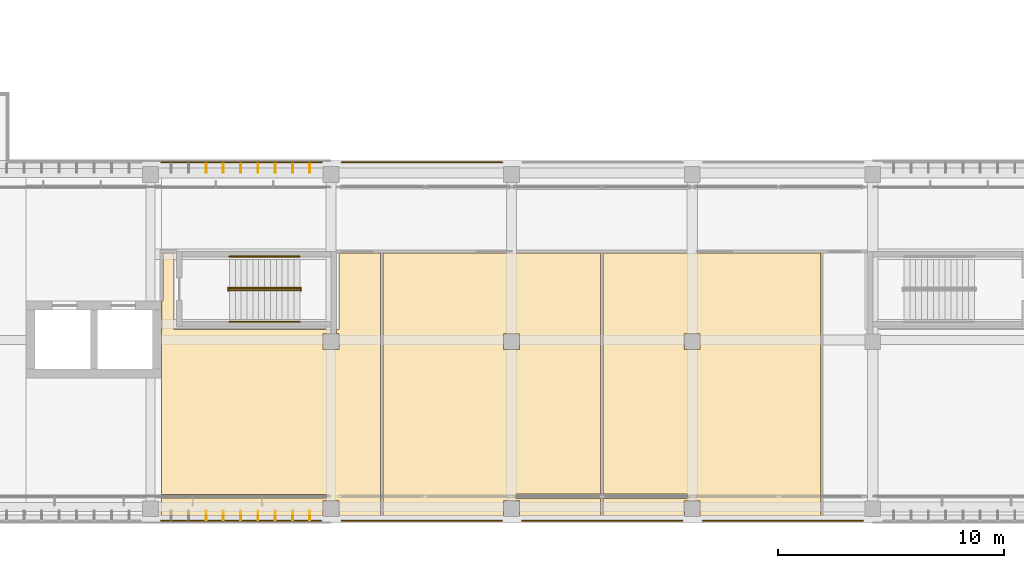
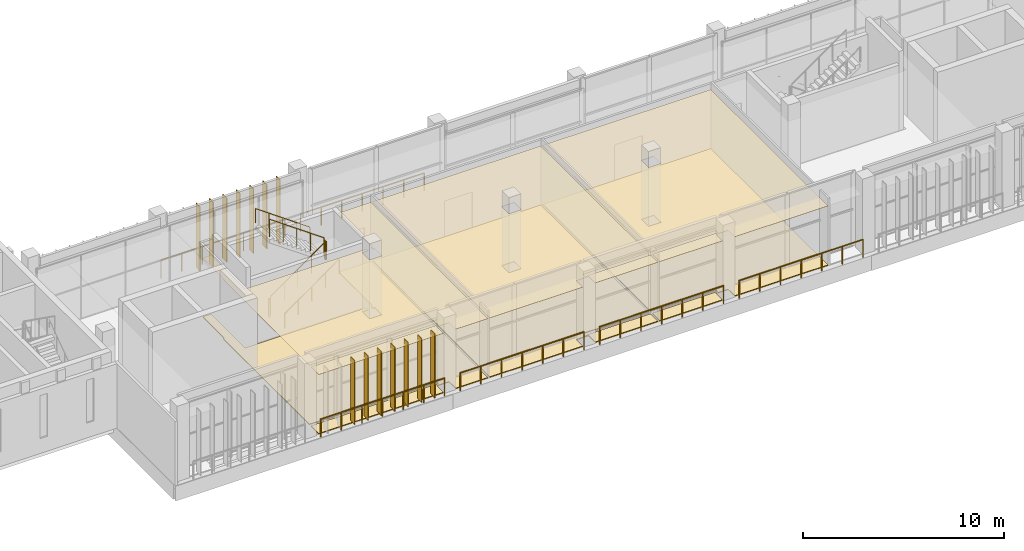
# One storey, part 33 of 46: 14 shading devices, 12 railings, 6 coverings.
"""IFC4 building model written with IfcOpenShell, lengths in metres."""

from ifc_helpers import new_model, si_unit, direction, frame, origin, origin_2d, place, context, subcontext, project, spatial, polyline, rectangle, circle, outline, extrude, material, layer, layer_set, type_object, element, save


model = new_model("IFC4")

# Units and contexts
model_context = context("Model", 3, precision=1e-05, world=origin(), true_north=direction((0.0, 1.0)))
body_context = subcontext(model_context, "Body", "Model", "MODEL_VIEW")
ifc_project = project(units=[si_unit("LENGTHUNIT", "METRE"), si_unit("AREAUNIT", "SQUARE_METRE"), si_unit("VOLUMEUNIT", "CUBIC_METRE"), si_unit("PLANEANGLEUNIT", "RADIAN"), si_unit("MASSUNIT", "GRAM", prefix="KILO")], contexts=[model_context])

# Site, building, storey
site_placement = place(None, origin())
site = spatial("IfcSite", under=ifc_project, at=site_placement, CompositionType="ELEMENT")
building_placement = place(site_placement, origin())
building = spatial("IfcBuilding", under=site, at=building_placement, Name="Lantern Court Media Centre", CompositionType="ELEMENT")
storey_placement = place(building_placement, frame((0.0, 0.0, 28.800048828125)))
storey = spatial("IfcBuildingStorey", under=building, at=storey_placement, Name="L06", CompositionType="ELEMENT", Elevation=28.800048828125)

# Coverings
ifc_material_1 = material(Name="Carpet")
ifc_layer_1 = layer(ifc_material_1, 0.050048828125)
ifc_layer_set_1 = layer_set([ifc_layer_1], Name="Carpet")
covering_type_1 = type_object("IfcCoveringType", Name="Carpet floor finish", PredefinedType="FLOORING", material=ifc_layer_set_1)
covering_1_placement = place(storey_placement, origin())
element("IfcCovering", 1, at=covering_1_placement, inside=storey, type_object=covering_type_1, Name="Restaurant floor finish", PredefinedType="FLOORING", context=body_context, shape_type="SweptSolid", body=[
    extrude(outline(polyline([(40.35009765625, 50.550048828125), (40.35009765625, 53.9326171875), (42.195068359375, 53.9326171875), (42.195068359375, 42.300048828125), (40.35498046875, 42.300048828125), (40.35009765625, 42.955078125), (39.646484375, 42.95361328125), (39.64501953125, 42.300048828125), (32.5, 42.300048828125), (32.5, 43.070068359375), (39.804931640625, 43.074951171875), (39.800048828125, 43.22998046875), (32.5, 43.22998046875), (32.5048828125, 51.794921875), (32.5673828125, 51.800048828125), (32.5673828125, 53.9326171875), (33.050048828125, 53.9326171875), (33.050048828125, 50.550048828125), (39.9951171875, 50.550048828125), (39.9951171875, 50.35498046875), (39.645263671875, 50.351806640625), (39.645263671875, 49.648193359375), (40.35009765625, 49.64501953125), (40.35498046875, 50.3505859375), (40.2548828125, 50.35498046875), (40.2548828125, 50.550048828125), (40.35009765625, 50.550048828125)])), origin(), (0.0, 0.0, 1.0), 0.050048828125),
])
covering_2_placement = place(storey_placement, origin())
element("IfcCovering", 2, at=covering_2_placement, inside=storey, type_object=covering_type_1, Name="Community Hall floor finish", PredefinedType="FLOORING", context=body_context, shape_type="SweptSolid", body=[
    extrude(outline(polyline([(42.304931640625, 42.300048828125), (42.304931640625, 53.9326171875), (51.945068359375, 53.9326171875), (51.945068359375, 43.2548828125), (48.195068359375, 43.25), (48.199462890625, 43.044921875), (51.945068359375, 43.044921875), (51.945068359375, 42.300048828125), (48.35498046875, 42.300048828125), (48.35009765625, 42.955078125), (47.646484375, 42.95361328125), (47.64501953125, 42.300048828125), (42.304931640625, 42.300048828125)]), holes=[polyline([(48.35498046875, 50.35009765625), (47.646484375, 50.353515625), (47.646484375, 49.646484375), (48.353515625, 49.646484375), (48.35498046875, 50.35009765625)])]), origin(), (0.0, 0.0, 1.0), 0.050048828125),
])
covering_3_placement = place(storey_placement, origin())
element("IfcCovering", 3, at=covering_3_placement, inside=storey, type_object=covering_type_1, Name="Library Administration Office floor finish", PredefinedType="FLOORING", context=body_context, shape_type="SweptSolid", body=[
    extrude(outline(polyline([(52.054931640625, 42.300048828125), (52.054931640625, 43.044921875), (55.804931640625, 43.050048828125), (55.800537109375, 43.2548828125), (52.054931640625, 43.2548828125), (52.054931640625, 53.9326171875), (61.695068359375, 53.9326171875), (61.695068359375, 42.300048828125), (56.35498046875, 42.300048828125), (56.35009765625, 42.955078125), (55.646484375, 42.95361328125), (55.64501953125, 42.300048828125), (52.054931640625, 42.300048828125)]), holes=[polyline([(56.35009765625, 49.64501953125), (56.353515625, 50.353515625), (55.646484375, 50.353515625), (55.646484375, 49.646484375), (56.35009765625, 49.64501953125)])]), origin(), (0.0, 0.0, 1.0), 0.050048828125),
])

# Railings
ifc_material_2 = material(Name="Powder-coated steel", Category="steel")
railing_type_1 = type_object("IfcRailingType", Name="Floor edge guard 1100", PredefinedType="GUARDRAIL", material=ifc_material_2)
railing_1_placement = place(storey_placement, frame((39.571044921875, 42.06005859375, 0.0)))
element("IfcRailing", 4, at=railing_1_placement, inside=storey, type_object=railing_type_1, Name="L06 edge guard 234", PredefinedType="GUARDRAIL", context=body_context, shape_type="SweptSolid", body=[
    extrude(circle(Radius=0.02392578125, at=origin_2d()), frame((0.0, 0.0, 1.076171875), z_axis=(-1.0, 0.0, 0.0), x_axis=(0.0, -1.0, 0.0)), (0.0, 0.0, 1.0), 7.09814453125),
    extrude(circle(Radius=0.02099609375, at=origin_2d()), origin(), (0.0, 0.0, 1.0), 1.052001953125),
    extrude(circle(Radius=0.02099609375, at=origin_2d()), frame((-1.18310546875, 0.0, 0.0)), (0.0, 0.0, 1.0), 1.052001953125),
    extrude(circle(Radius=0.02099609375, at=origin_2d()), frame((-2.365966796875, 0.0, 0.0)), (0.0, 0.0, 1.0), 1.052001953125),
    extrude(circle(Radius=0.02099609375, at=origin_2d()), frame((-3.549072265625, 0.0, 0.0)), (0.0, 0.0, 1.0), 1.052001953125),
    extrude(circle(Radius=0.02099609375, at=origin_2d()), frame((-4.732177734375, 0.0, 0.0)), (0.0, 0.0, 1.0), 1.052001953125),
    extrude(circle(Radius=0.02099609375, at=origin_2d()), frame((-5.9150390625, 0.0, 0.0)), (0.0, 0.0, 1.0), 1.052001953125),
    extrude(circle(Radius=0.02099609375, at=origin_2d()), frame((-7.09814453125, 0.0, 0.0)), (0.0, 0.0, 1.0), 1.052001953125),
])
railing_2_placement = place(storey_placement, frame((32.487060546875, 57.93994140625, 0.0)))
element("IfcRailing", 5, at=railing_2_placement, inside=storey, type_object=railing_type_1, Name="L06 edge guard 235", PredefinedType="GUARDRAIL", context=body_context, shape_type="SweptSolid", body=[
    extrude(circle(Radius=0.02392578125, at=origin_2d()), frame((0.0, 0.0, 1.076171875), z_axis=(1.0, 0.0, 0.0), x_axis=(0.0, 1.0, 0.0)), (0.0, 0.0, 1.0), 7.097900390625),
    extrude(circle(Radius=0.02099609375, at=origin_2d()), origin(), (0.0, 0.0, 1.0), 1.052001953125),
    extrude(circle(Radius=0.02099609375, at=origin_2d()), frame((1.18310546875, 0.0, 0.0)), (0.0, 0.0, 1.0), 1.052001953125),
    extrude(circle(Radius=0.02099609375, at=origin_2d()), frame((2.365966796875, 0.0, 0.0)), (0.0, 0.0, 1.0), 1.052001953125),
    extrude(circle(Radius=0.02099609375, at=origin_2d()), frame((3.548828125, 0.0, 0.0)), (0.0, 0.0, 1.0), 1.052001953125),
    extrude(circle(Radius=0.02099609375, at=origin_2d()), frame((4.73193359375, 0.0, 0.0)), (0.0, 0.0, 1.0), 1.052001953125),
    extrude(circle(Radius=0.02099609375, at=origin_2d()), frame((5.9150390625, 0.0, 0.0)), (0.0, 0.0, 1.0), 1.052001953125),
    extrude(circle(Radius=0.02099609375, at=origin_2d()), frame((7.097900390625, 0.0, 0.0)), (0.0, 0.0, 1.0), 1.052001953125),
])
railing_3_placement = place(storey_placement, frame((47.569091796875, 42.06005859375, 0.0)))
element("IfcRailing", 6, at=railing_3_placement, inside=storey, type_object=railing_type_1, Name="L06 edge guard 236", PredefinedType="GUARDRAIL", context=body_context, shape_type="SweptSolid", body=[
    extrude(circle(Radius=0.02392578125, at=origin_2d()), frame((0.0, 0.0, 1.076171875), z_axis=(-1.0, 0.0, 0.0), x_axis=(0.0, -1.0, 0.0)), (0.0, 0.0, 1.0), 7.09814453125),
    extrude(circle(Radius=0.02099609375, at=origin_2d()), origin(), (0.0, 0.0, 1.0), 1.052001953125),
    extrude(circle(Radius=0.02099609375, at=origin_2d()), frame((-1.18310546875, 0.0, 0.0)), (0.0, 0.0, 1.0), 1.052001953125),
    extrude(circle(Radius=0.02099609375, at=origin_2d()), frame((-2.365966796875, 0.0, 0.0)), (0.0, 0.0, 1.0), 1.052001953125),
    extrude(circle(Radius=0.02099609375, at=origin_2d()), frame((-3.549072265625, 0.0, 0.0)), (0.0, 0.0, 1.0), 1.052001953125),
    extrude(circle(Radius=0.02099609375, at=origin_2d()), frame((-4.732177734375, 0.0, 0.0)), (0.0, 0.0, 1.0), 1.052001953125),
    extrude(circle(Radius=0.02099609375, at=origin_2d()), frame((-5.9150390625, 0.0, 0.0)), (0.0, 0.0, 1.0), 1.052001953125),
    extrude(circle(Radius=0.02099609375, at=origin_2d()), frame((-7.09814453125, 0.0, 0.0)), (0.0, 0.0, 1.0), 1.052001953125),
])
railing_4_placement = place(storey_placement, frame((40.485107421875, 57.93994140625, 0.0)))
element("IfcRailing", 7, at=railing_4_placement, inside=storey, type_object=railing_type_1, Name="L06 edge guard 237", PredefinedType="GUARDRAIL", context=body_context, shape_type="SweptSolid", body=[
    extrude(circle(Radius=0.02392578125, at=origin_2d()), frame((0.0, 0.0, 1.076171875), z_axis=(1.0, 0.0, 0.0), x_axis=(0.0, 1.0, 0.0)), (0.0, 0.0, 1.0), 7.097900390625),
    extrude(circle(Radius=0.02099609375, at=origin_2d()), origin(), (0.0, 0.0, 1.0), 1.052001953125),
    extrude(circle(Radius=0.02099609375, at=origin_2d()), frame((1.18310546875, 0.0, 0.0)), (0.0, 0.0, 1.0), 1.052001953125),
    extrude(circle(Radius=0.02099609375, at=origin_2d()), frame((2.365966796875, 0.0, 0.0)), (0.0, 0.0, 1.0), 1.052001953125),
    extrude(circle(Radius=0.02099609375, at=origin_2d()), frame((3.548828125, 0.0, 0.0)), (0.0, 0.0, 1.0), 1.052001953125),
    extrude(circle(Radius=0.02099609375, at=origin_2d()), frame((4.73193359375, 0.0, 0.0)), (0.0, 0.0, 1.0), 1.052001953125),
    extrude(circle(Radius=0.02099609375, at=origin_2d()), frame((5.9150390625, 0.0, 0.0)), (0.0, 0.0, 1.0), 1.052001953125),
    extrude(circle(Radius=0.02099609375, at=origin_2d()), frame((7.097900390625, 0.0, 0.0)), (0.0, 0.0, 1.0), 1.052001953125),
])
for number, where, name in (
    (8, (55.56689453125, 42.06005859375, 0.0), "L06 edge guard 238"),
    (9, (63.56494140625, 42.06005859375, 0.0), "L06 edge guard 240"),
):
    element("IfcRailing", number, at=place(storey_placement, frame(where)), inside=storey, type_object=railing_type_1, Name=name, PredefinedType="GUARDRAIL", context=body_context, shape_type="SweptSolid", body=[
        extrude(circle(Radius=0.02392578125, at=origin_2d()), frame((0.0, 0.0, 1.076171875), z_axis=(-1.0, 0.0, 0.0), x_axis=(0.0, -1.0, 0.0)), (0.0, 0.0, 1.0), 7.097900390625),
        extrude(circle(Radius=0.02099609375, at=origin_2d()), origin(), (0.0, 0.0, 1.0), 1.052001953125),
        extrude(circle(Radius=0.02099609375, at=origin_2d()), frame((-1.18310546875, 0.0, 0.0)), (0.0, 0.0, 1.0), 1.052001953125),
        extrude(circle(Radius=0.02099609375, at=origin_2d()), frame((-2.365966796875, 0.0, 0.0)), (0.0, 0.0, 1.0), 1.052001953125),
        extrude(circle(Radius=0.02099609375, at=origin_2d()), frame((-3.548828125, 0.0, 0.0)), (0.0, 0.0, 1.0), 1.052001953125),
        extrude(circle(Radius=0.02099609375, at=origin_2d()), frame((-4.73193359375, 0.0, 0.0)), (0.0, 0.0, 1.0), 1.052001953125),
        extrude(circle(Radius=0.02099609375, at=origin_2d()), frame((-5.9150390625, 0.0, 0.0)), (0.0, 0.0, 1.0), 1.052001953125),
        extrude(circle(Radius=0.02099609375, at=origin_2d()), frame((-7.097900390625, 0.0, 0.0)), (0.0, 0.0, 1.0), 1.052001953125),
    ])
railing_type_2 = type_object("IfcRailingType", Name="Stair guard 1100", PredefinedType="GUARDRAIL", material=ifc_material_2)
railing_5_placement = place(storey_placement, frame((35.5, 52.27392578125, 0.1845703125)))
element("IfcRailing", 10, at=railing_5_placement, inside=storey, type_object=railing_type_2, Name="L06 ST-V3-ST-W stair guard 1", PredefinedType="GUARDRAIL", context=body_context, shape_type="SweptSolid", body=[
    extrude(circle(Radius=0.02392578125, at=origin_2d()), frame((0.0, 0.0, 1.076171875), z_axis=(0.815376961211, 0.0, 0.578930402662), x_axis=(0.0, 1.0, 0.0)), (0.0, 0.0, 1.0), 3.82666015625),
    extrude(circle(Radius=0.02099609375, at=origin_2d()), origin(), (0.0, 0.0, 1.0), 1.052001953125),
    extrude(circle(Radius=0.02099609375, at=origin_2d()), frame((0.780029296875, 0.0, 0.5537109375)), (0.0, 0.0, 1.0), 1.052001953125),
    extrude(circle(Radius=0.02099609375, at=origin_2d()), frame((1.56005859375, 0.0, 1.107666015625)), (0.0, 0.0, 1.0), 1.052001953125),
    extrude(circle(Radius=0.02099609375, at=origin_2d()), frame((2.340087890625, 0.0, 1.66162109375)), (0.0, 0.0, 1.0), 1.052001953125),
    extrude(circle(Radius=0.02099609375, at=origin_2d()), frame((3.1201171875, 0.0, 2.21533203125)), (0.0, 0.0, 1.0), 1.052001953125),
])
railing_6_placement = place(storey_placement, frame((38.669921875, 52.25, 2.39990234375)))
element("IfcRailing", 11, at=railing_6_placement, inside=storey, type_object=railing_type_2, Name="L06 ST-V3-ST-W stair guard 2", PredefinedType="GUARDRAIL", context=body_context, shape_type="SweptSolid", body=[
    extrude(circle(Radius=0.02392578125, at=origin_2d()), frame((0.0, 0.0, 1.076171875), z_axis=(0.0, 1.0, 0.0), x_axis=(-1.0, 0.0, 0.0)), (0.0, 0.0, 1.0), 0.14990234375),
    extrude(circle(Radius=0.02099609375, at=origin_2d()), origin(), (0.0, 0.0, 1.0), 1.052001953125),
    extrude(circle(Radius=0.02099609375, at=origin_2d()), frame((0.0, 0.14990234375, 0.0)), (0.0, 0.0, 1.0), 1.052001953125),
])
railing_7_placement = place(storey_placement, frame((38.6201171875, 52.3759765625, 2.58447265625)))
element("IfcRailing", 12, at=railing_7_placement, inside=storey, type_object=railing_type_2, Name="L06 ST-V3-ST-W stair guard 3", PredefinedType="GUARDRAIL", context=body_context, shape_type="SweptSolid", body=[
    extrude(circle(Radius=0.02392578125, at=origin_2d()), frame((0.0, 0.0, 1.076171875), z_axis=(-0.815346844174, 0.0, 0.578972817752), x_axis=(0.0, -1.0, 0.0)), (0.0, 0.0, 1.0), 3.82666015625),
    extrude(circle(Radius=0.02099609375, at=origin_2d()), origin(), (0.0, 0.0, 1.0), 1.052001953125),
    extrude(circle(Radius=0.02099609375, at=origin_2d()), frame((-0.780029296875, 0.0, 0.553955078125)), (0.0, 0.0, 1.0), 1.052001953125),
    extrude(circle(Radius=0.02099609375, at=origin_2d()), frame((-1.56005859375, 0.0, 1.10791015625)), (0.0, 0.0, 1.0), 1.052001953125),
    extrude(circle(Radius=0.02099609375, at=origin_2d()), frame((-2.340087890625, 0.0, 1.66162109375)), (0.0, 0.0, 1.0), 1.052001953125),
    extrude(circle(Radius=0.02099609375, at=origin_2d()), frame((-3.1201171875, 0.0, 2.215576171875)), (0.0, 0.0, 1.0), 1.052001953125),
])
railing_8_placement = place(storey_placement, frame((35.449951171875, 52.25, 0.0)))
element("IfcRailing", 13, at=railing_8_placement, inside=storey, type_object=railing_type_2, Name="L06 ST-V3-ST-W stair guard 4", PredefinedType="GUARDRAIL", context=body_context, shape_type="SweptSolid", body=[
    extrude(circle(Radius=0.02392578125, at=origin_2d()), frame((0.0, 0.0, 1.076171875), z_axis=(0.0, 1.0, 0.0), x_axis=(-1.0, 0.0, 0.0)), (0.0, 0.0, 1.0), 0.14990234375),
    extrude(circle(Radius=0.02099609375, at=origin_2d()), origin(), (0.0, 0.0, 1.0), 1.052001953125),
    extrude(circle(Radius=0.02099609375, at=origin_2d()), frame((0.0, 0.14990234375, 0.0)), (0.0, 0.0, 1.0), 1.052001953125),
])
railing_type_3 = type_object("IfcRailingType", Name="Stair handrail 900", PredefinedType="HANDRAIL", material=ifc_material_2)
railing_9_placement = place(storey_placement, frame((35.5, 50.8759765625, 0.1845703125)))
element("IfcRailing", 14, at=railing_9_placement, inside=storey, type_object=railing_type_3, Name="L06 ST-V3-ST-W stair handrail 1", PredefinedType="HANDRAIL", context=body_context, shape_type="SweptSolid", body=[
    extrude(circle(Radius=0.02392578125, at=origin_2d()), frame((0.0, 0.0, 0.8759765625), z_axis=(0.815376961211, 0.0, 0.578930402662), x_axis=(0.0, 1.0, 0.0)), (0.0, 0.0, 1.0), 3.82666015625),
    extrude(circle(Radius=0.02099609375, at=origin_2d()), origin(), (0.0, 0.0, 1.0), 0.851806640625),
    extrude(circle(Radius=0.02099609375, at=origin_2d()), frame((0.780029296875, 0.0, 0.5537109375)), (0.0, 0.0, 1.0), 0.851806640625),
    extrude(circle(Radius=0.02099609375, at=origin_2d()), frame((1.56005859375, 0.0, 1.107666015625)), (0.0, 0.0, 1.0), 0.851806640625),
    extrude(circle(Radius=0.02099609375, at=origin_2d()), frame((2.340087890625, 0.0, 1.66162109375)), (0.0, 0.0, 1.0), 0.851806640625),
    extrude(circle(Radius=0.02099609375, at=origin_2d()), frame((3.1201171875, 0.0, 2.21533203125)), (0.0, 0.0, 1.0), 0.851806640625),
])
railing_10_placement = place(storey_placement, frame((38.6201171875, 53.77392578125, 2.58447265625)))
element("IfcRailing", 15, at=railing_10_placement, inside=storey, type_object=railing_type_3, Name="L06 ST-V3-ST-W stair handrail 2", PredefinedType="HANDRAIL", context=body_context, shape_type="SweptSolid", body=[
    extrude(circle(Radius=0.02392578125, at=origin_2d()), frame((0.0, 0.0, 0.8759765625), z_axis=(-0.815346844174, 0.0, 0.578972817752), x_axis=(0.0, -1.0, 0.0)), (0.0, 0.0, 1.0), 3.82666015625),
    extrude(circle(Radius=0.02099609375, at=origin_2d()), origin(), (0.0, 0.0, 1.0), 0.851806640625),
    extrude(circle(Radius=0.02099609375, at=origin_2d()), frame((-0.780029296875, 0.0, 0.553955078125)), (0.0, 0.0, 1.0), 0.851806640625),
    extrude(circle(Radius=0.02099609375, at=origin_2d()), frame((-1.56005859375, 0.0, 1.10791015625)), (0.0, 0.0, 1.0), 0.851806640625),
    extrude(circle(Radius=0.02099609375, at=origin_2d()), frame((-2.340087890625, 0.0, 1.66162109375)), (0.0, 0.0, 1.0), 0.851806640625),
    extrude(circle(Radius=0.02099609375, at=origin_2d()), frame((-3.1201171875, 0.0, 2.215576171875)), (0.0, 0.0, 1.0), 0.851806640625),
])

# Coverings
ifc_material_3 = material(Name="Mineral fibre ceiling tile")
ifc_layer_2 = layer(ifc_material_3, 0.02001953125)
ifc_layer_set_2 = layer_set([ifc_layer_2], Name="Mineral fibre ceiling tile")
covering_type_2 = type_object("IfcCoveringType", Name="Suspended ceiling tile", PredefinedType="CEILING", material=ifc_layer_set_2)
covering_4_placement = place(storey_placement, frame((0.0, 0.0, 3.599853515625)))
element("IfcCovering", 16, at=covering_4_placement, inside=storey, type_object=covering_type_2, Name="Restaurant ceiling", PredefinedType="CEILING", context=body_context, shape_type="SweptSolid", body=[
    extrude(outline(polyline([(40.35009765625, 50.550048828125), (40.35009765625, 53.93701171875), (42.199462890625, 53.93701171875), (42.199462890625, 42.300048828125), (40.3505859375, 42.300048828125), (40.35009765625, 42.950439453125), (39.649658203125, 42.950439453125), (39.6494140625, 42.300048828125), (32.5, 42.300048828125), (32.5, 43.074462890625), (39.800537109375, 43.074951171875), (39.800048828125, 43.2255859375), (32.5, 43.2255859375), (32.50048828125, 51.799560546875), (32.56298828125, 51.800048828125), (32.56298828125, 53.93701171875), (33.050048828125, 53.93701171875), (33.050048828125, 50.550048828125), (39.99951171875, 50.550048828125), (39.99951171875, 50.3505859375), (39.649658203125, 50.35009765625), (39.64990234375, 49.6494140625), (40.350341796875, 49.649658203125), (40.3505859375, 50.35009765625), (40.25048828125, 50.3505859375), (40.25048828125, 50.550048828125), (40.35009765625, 50.550048828125)])), origin(), (0.0, 0.0, 1.0), 0.02001953125),
])
covering_5_placement = place(storey_placement, frame((0.0, 0.0, 3.599853515625)))
element("IfcCovering", 17, at=covering_5_placement, inside=storey, type_object=covering_type_2, Name="Community Hall ceiling", PredefinedType="CEILING", context=body_context, shape_type="SweptSolid", body=[
    extrude(outline(polyline([(42.300537109375, 42.300048828125), (42.300537109375, 53.93701171875), (51.949462890625, 53.93701171875), (51.949462890625, 43.25048828125), (48.199462890625, 43.25), (48.199951171875, 43.049560546875), (51.949462890625, 43.049560546875), (51.949462890625, 42.300048828125), (48.3505859375, 42.300048828125), (48.35009765625, 42.950439453125), (47.649658203125, 42.950439453125), (47.6494140625, 42.300048828125), (42.300537109375, 42.300048828125)]), holes=[polyline([(47.64990234375, 50.3505859375), (47.649658203125, 49.649658203125), (48.350341796875, 49.649658203125), (48.350341796875, 50.350341796875), (47.64990234375, 50.3505859375)])]), origin(), (0.0, 0.0, 1.0), 0.02001953125),
])
covering_6_placement = place(storey_placement, frame((0.0, 0.0, 3.599853515625)))
element("IfcCovering", 18, at=covering_6_placement, inside=storey, type_object=covering_type_2, Name="Library Administration Office ceiling", PredefinedType="CEILING", context=body_context, shape_type="SweptSolid", body=[
    extrude(outline(polyline([(52.050537109375, 42.300048828125), (52.050537109375, 43.049560546875), (55.800537109375, 43.050048828125), (55.800048828125, 43.25048828125), (52.050537109375, 43.25048828125), (52.050537109375, 53.93701171875), (61.699462890625, 53.93701171875), (61.699462890625, 42.300048828125), (56.3505859375, 42.300048828125), (56.35009765625, 42.950439453125), (55.649658203125, 42.950439453125), (55.6494140625, 42.300048828125), (52.050537109375, 42.300048828125)]), holes=[polyline([(56.3505859375, 50.35009765625), (55.649658203125, 50.350341796875), (55.649658203125, 49.649658203125), (56.350341796875, 49.649658203125), (56.3505859375, 50.35009765625)])]), origin(), (0.0, 0.0, 1.0), 0.02001953125),
])

# Shading devices
ifc_material_4 = material(Name="Bronze anodised aluminium louvre", Category="aluminium")
ifc_layer_3 = layer(ifc_material_4, 0.0400390625)
ifc_layer_set_3 = layer_set([ifc_layer_3], Name="Bronze anodised aluminium louvre")
shading_device_type = type_object("IfcShadingDeviceType", Name="Vertical louvre 40x400 under beam", PredefinedType="USERDEFINED", material=ifc_layer_set_3)
for number, where, z_axis, x_axis, name in (
    (19, (34.466552734375, 42.320068359375, 0.0), (0.0, 0.0, 1.0), (1.0, 0.0, 0.0), "Vertical louvre S outer L06"),
    (20, (35.2333984375, 42.320068359375, 0.0), (0.0, 0.0, 1.0), (1.0, 0.0, 0.0), "Vertical louvre S outer L06"),
    (21, (36.0, 42.320068359375, 0.0), (0.0, 0.0, 1.0), (1.0, 0.0, 0.0), "Vertical louvre S outer L06"),
    (22, (36.7666015625, 42.320068359375, 0.0), (0.0, 0.0, 1.0), (1.0, 0.0, 0.0), "Vertical louvre S outer L06"),
    (23, (37.533447265625, 42.320068359375, 0.0), (0.0, 0.0, 1.0), (1.0, 0.0, 0.0), "Vertical louvre S outer L06"),
    (24, (38.300048828125, 42.320068359375, 0.0), (0.0, 0.0, 1.0), (1.0, 0.0, 0.0), "Vertical louvre S outer L06"),
    (25, (39.066650390625, 42.320068359375, 0.0), (0.0, 0.0, 1.0), (1.0, 0.0, 0.0), "Vertical louvre S outer L06"),
    (26, (34.466552734375, 57.679931640625, 0.0), (0.0, 0.0, 1.0), (1.0, 0.0, 0.0), "Vertical louvre S inner L06"),
    (27, (35.2333984375, 57.679931640625, 0.0), (0.0, 0.0, 1.0), (1.0, 0.0, 0.0), "Vertical louvre S inner L06"),
    (28, (36.0, 57.679931640625, 0.0), (0.0, 0.0, 1.0), (1.0, 0.0, 0.0), "Vertical louvre S inner L06"),
    (29, (36.7666015625, 57.679931640625, 0.0), (0.0, 0.0, 1.0), (1.0, 0.0, 0.0), "Vertical louvre S inner L06"),
    (30, (37.533447265625, 57.679931640625, 0.0), (0.0, 0.0, 1.0), (1.0, 0.0, 0.0), "Vertical louvre S inner L06"),
    (31, (38.300048828125, 57.679931640625, 0.0), (0.0, 0.0, 1.0), (1.0, 0.0, 0.0), "Vertical louvre S inner L06"),
    (32, (39.066650390625, 57.679931640625, 0.0), (0.0, 0.0, 1.0), (1.0, 0.0, 0.0), "Vertical louvre S inner L06"),
):
    element("IfcShadingDevice", number, at=place(storey_placement, frame(where, z_axis=z_axis, x_axis=x_axis)), inside=storey, type_object=shading_device_type, Name=name, ObjectType="VERTICAL LOUVRE", PredefinedType="USERDEFINED", context=body_context, shape_type="SweptSolid", body=[
        extrude(rectangle(XDim=0.0400390625, YDim=0.39990234375, at=origin_2d()), origin(), (0.0, 0.0, 1.0), 3.89990234375),
    ])

save(model, "model.ifc")
